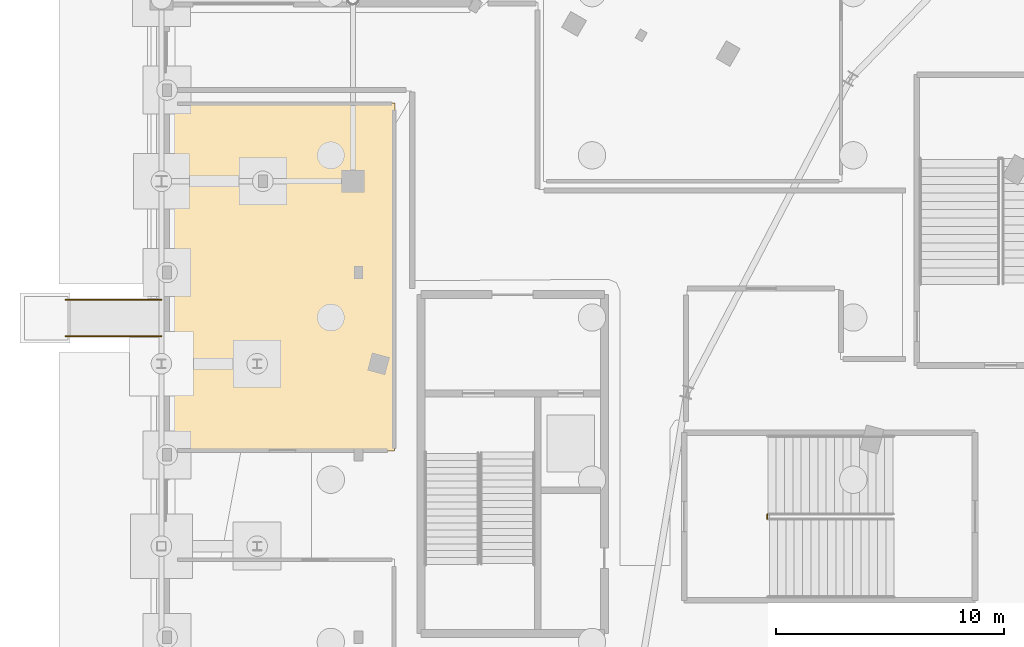
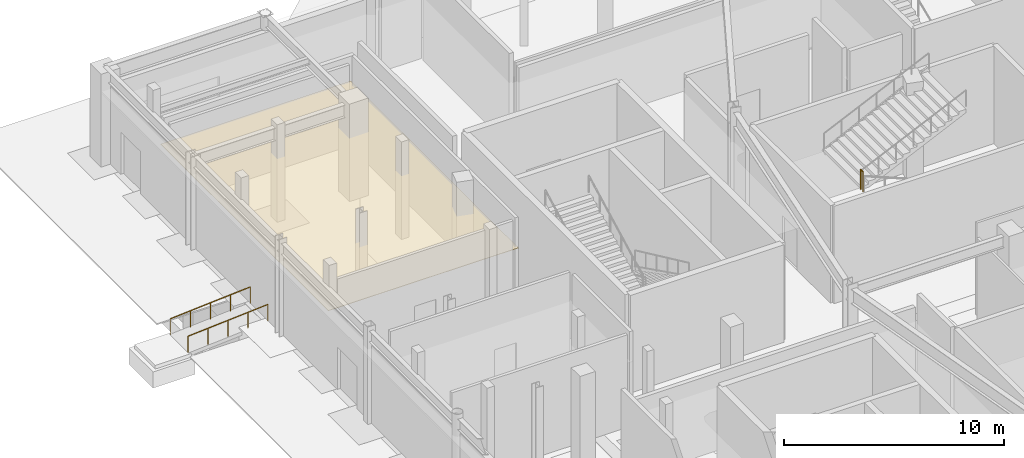
# One storey, part 76 of 93: 3 railings, 1 covering.
"""IFC4 building model written with IfcOpenShell, lengths in metres."""

import ifcopenshell
import ifcopenshell.guid

model = None  # the IFC model being written
_history = None  # IfcOwnerHistory: only IFC2X3 demands one
_inside = {}  # id of a spatial element -> (the spatial element, [elements in it])
_under = {}  # id of a project, library or spatial element -> (it, [spatial elements below it])
_declared = {}  # id of a project -> (the project, [libraries it declares])
_typed = {}  # id of a type object -> (the type object, [elements of that type])
_made_of = {}  # id of a material, layer set ... -> (it, [elements and type objects made of it])


def new_model(schema):
    """Start an empty IFC model of exactly this schema.

    Asked for "IFC4X3", IfcOpenShell would pick the latest addendum, in which some entities
    have other attributes; the version numbers below select the first issue.
    IFC2X3 requires an IfcOwnerHistory on every rooted entity: one is made here for all.
    """
    global model, _history
    if schema == "IFC4X3":
        model = ifcopenshell.file(schema_version=(4, 3, 0, 0))
    else:
        model = ifcopenshell.file(schema=schema)
    _inside.clear()
    _under.clear()
    _declared.clear()
    _typed.clear()
    _made_of.clear()
    _history = None
    if model.schema == "IFC2X3":
        org = make("IfcOrganization", Name="unknown")
        user = make(
            "IfcPersonAndOrganization",
            ThePerson=make("IfcPerson", FamilyName="unknown"),
            TheOrganization=org,
        )
        app = make(
            "IfcApplication",
            ApplicationDeveloper=org,
            Version="unknown",
            ApplicationFullName="unknown",
            ApplicationIdentifier="unknown",
        )
        _history = make(
            "IfcOwnerHistory",
            OwningUser=user,
            OwningApplication=app,
            ChangeAction="ADDED",
            CreationDate=0,
        )
    return model


def make(cls, **values):
    """One entity of the class cls with the attributes given. An attribute that is None is left unset."""
    return model.create_entity(
        cls, **{name: value for name, value in values.items() if value is not None}
    )


def rooted(cls, **values):
    """An entity with a GlobalId (a new one), such as an element, a storey or a relation."""
    return make(cls, GlobalId=ifcopenshell.guid.new(), OwnerHistory=_history, **values)


def si_unit(unit_type, name, prefix=None):
    """IfcSIUnit, for example si_unit("LENGTHUNIT", "METRE", prefix="MILLI")."""
    return make("IfcSIUnit", UnitType=unit_type, Prefix=prefix, Name=name)


def assignment(units):
    """IfcUnitAssignment: the units of a project."""
    return None if units is None else make("IfcUnitAssignment", Units=units)


def point(xyz):
    """IfcCartesianPoint."""
    return None if xyz is None else make("IfcCartesianPoint", Coordinates=xyz)


def direction(xyz):
    """IfcDirection."""
    return None if xyz is None else make("IfcDirection", DirectionRatios=xyz)


def frame(location, z_axis=None, x_axis=None):
    """IfcAxis2Placement3D, a coordinate frame: its origin and axes. An axis left out is left unset."""
    return make(
        "IfcAxis2Placement3D",
        Location=point(location),
        Axis=direction(z_axis),
        RefDirection=direction(x_axis),
    )


def frame_2d(location, x_axis=None):
    """IfcAxis2Placement2D, a coordinate frame in the plane: its origin and x axis."""
    return make(
        "IfcAxis2Placement2D", Location=point(location), RefDirection=direction(x_axis)
    )


def origin():
    """The frame at (0, 0, 0) with its axes left unset."""
    return frame((0.0, 0.0, 0.0))


def origin_2d():
    """The frame at (0, 0) in the plane with its x axis left unset."""
    return frame_2d((0.0, 0.0))


def place(relative_to, where):
    """IfcLocalPlacement: puts the frame where relative to a parent placement (None: the world)."""
    return make(
        "IfcLocalPlacement", PlacementRelTo=relative_to, RelativePlacement=where
    )


def context(
    kind, dimensions, precision=None, world=None, true_north=None, identifier=None
):
    """IfcGeometricRepresentationContext, for example the 3D "Model" context."""
    return make(
        "IfcGeometricRepresentationContext",
        ContextIdentifier=identifier,
        ContextType=kind,
        CoordinateSpaceDimension=dimensions,
        Precision=precision,
        WorldCoordinateSystem=world,
        TrueNorth=true_north,
    )


def subcontext(parent, identifier, kind, view, scale=None):
    """IfcGeometricRepresentationSubContext, for example "Body" below "Model"."""
    return make(
        "IfcGeometricRepresentationSubContext",
        ContextIdentifier=identifier,
        ContextType=kind,
        ParentContext=parent,
        TargetScale=scale,
        TargetView=view,
    )


def project(units=None, contexts=None):
    """IfcProject with its units and contexts."""
    return rooted(
        "IfcProject",
        Name="project",
        RepresentationContexts=contexts,
        UnitsInContext=assignment(units),
    )


def spatial(cls, under=None, at=None, **own):
    """A site, building, storey or space (cls), placed at a placement, below another one or the project."""
    s = rooted(cls, ObjectPlacement=at, **own)
    if under is not None:
        _under.setdefault(under.id(), (under, []))[1].append(s)
    return s


def polyline(points):
    """IfcPolyline through the points."""
    return make("IfcPolyline", Points=[point(p) for p in points])


def profile(cls, at=None, kind="AREA", **sizes):
    """A parametric profile (cls). Its sizes go by their IFC names, for example OverallWidth=200.0."""
    return make(cls, ProfileType=kind, Position=at, **sizes)


def circle(**sizes):
    """IfcCircleProfileDef."""
    return profile("IfcCircleProfileDef", **sizes)


def outline(outer, holes=None, kind="AREA"):
    """IfcArbitraryClosedProfileDef: a profile drawn as a closed curve; with holes, ...WithVoids."""
    if holes is None:
        return make("IfcArbitraryClosedProfileDef", ProfileType=kind, OuterCurve=outer)
    return make(
        "IfcArbitraryProfileDefWithVoids",
        ProfileType=kind,
        OuterCurve=outer,
        InnerCurves=holes,
    )


def extrude(swept, where, along, depth):
    """IfcExtrudedAreaSolid: the profile swept, set in the frame where, extruded along a direction by depth."""
    return make(
        "IfcExtrudedAreaSolid",
        SweptArea=swept,
        Position=where,
        ExtrudedDirection=direction(along),
        Depth=depth,
    )


def shape(context_of_items, identifier, shape_type, items):
    """IfcShapeRepresentation: the items that make up one representation, for example the "Body"."""
    return make(
        "IfcShapeRepresentation",
        ContextOfItems=context_of_items,
        RepresentationIdentifier=identifier,
        RepresentationType=shape_type,
        Items=items,
    )


def material(Name=None, Category=None):
    """IfcMaterial."""
    return make("IfcMaterial", Name=Name, Category=Category)


def layer(
    of_material, thickness, ventilated=None, Name=None, Category=None, Priority=None
):
    """IfcMaterialLayer: one layer of a wall or slab, of a material (None: an air gap)."""
    return make(
        "IfcMaterialLayer",
        Material=of_material,
        LayerThickness=thickness,
        IsVentilated=ventilated,
        Name=Name,
        Category=Category,
        Priority=Priority,
    )


def layer_set(layers, Name=None):
    """IfcMaterialLayerSet."""
    return make("IfcMaterialLayerSet", MaterialLayers=layers, LayerSetName=Name)


def made_of(thing, what):
    """Note that an element or type object is made of a material, layer set ...; save() writes the relation."""
    if what is not None:
        _made_of.setdefault(what.id(), (what, []))[1].append(thing)
    return thing


def type_object(cls, material=None, **own):
    """A type object (cls), such as IfcWallType, which elements share."""
    return made_of(rooted(cls, **own), material)


def element(
    cls,
    number,
    at=None,
    inside=None,
    cuts=None,
    type_object=None,
    material=None,
    context=None,
    identifier="Body",
    shape_type=None,
    held_by="IfcProductDefinitionShape",
    body=None,
    shapes=None,
    **own,
):
    """One element of the class cls, such as IfcWall. Its Tag is "e" and its number.

    at: its placement. inside: the storey or other place that contains it. cuts: it is an
    opening in that element (IfcRelVoidsElement). A single representation is given by context,
    identifier, shape_type and body (its items); several are given by shapes. held_by: the class
    of the entity that holds the representations. save() writes the other relations.
    """
    e = rooted(cls, Tag="e%d" % number, ObjectPlacement=at, **own)
    if body is not None:
        shapes = [shape(context, identifier, shape_type, body)]
    if shapes is not None:
        e.Representation = make(held_by, Representations=shapes)
    if inside is not None:
        _inside.setdefault(inside.id(), (inside, []))[1].append(e)
    if cuts is not None:
        rooted(
            "IfcRelVoidsElement", RelatingBuildingElement=cuts, RelatedOpeningElement=e
        )
    if type_object is not None:
        _typed.setdefault(type_object.id(), (type_object, []))[1].append(e)
    return made_of(e, material)


def aggregate(whole, parts):
    """IfcRelAggregates: a whole, such as a stair, and the parts it consists of."""
    return rooted("IfcRelAggregates", RelatingObject=whole, RelatedObjects=parts)


def save(model, path):
    """Write the relations noted so far, then the file.

    IfcRelAggregates (storeys below a building ...), IfcRelContainedInSpatialStructure (elements
    in a storey), IfcRelDefinesByType, IfcRelAssociatesMaterial and IfcRelDeclares: one each for
    every whole, place, type object, material and project.
    """
    for whole, parts in _under.values():
        aggregate(whole, parts)
    for where, things in _inside.values():
        rooted(
            "IfcRelContainedInSpatialStructure",
            RelatedElements=things,
            RelatingStructure=where,
        )
    for kind, things in _typed.values():
        rooted("IfcRelDefinesByType", RelatedObjects=things, RelatingType=kind)
    for what, things in _made_of.values():
        rooted("IfcRelAssociatesMaterial", RelatedObjects=things, RelatingMaterial=what)
    for by, libraries in _declared.values():
        rooted("IfcRelDeclares", RelatingContext=by, RelatedDefinitions=libraries)
    model.write(path)


model = new_model("IFC4")

# Units and contexts
model_context = context("Model", 3, precision=1e-05, world=origin(), true_north=direction((0.0, 1.0)))
body_context = subcontext(model_context, "Body", "Model", "MODEL_VIEW")
ifc_project = project(units=[si_unit("LENGTHUNIT", "METRE"), si_unit("AREAUNIT", "SQUARE_METRE"), si_unit("VOLUMEUNIT", "CUBIC_METRE"), si_unit("PLANEANGLEUNIT", "RADIAN"), si_unit("MASSUNIT", "GRAM", prefix="KILO")], contexts=[model_context])

# Site, building, storey
site_placement = place(None, origin())
site = spatial("IfcSite", under=ifc_project, at=site_placement, CompositionType="ELEMENT")
building_placement = place(site_placement, origin())
building = spatial("IfcBuilding", under=site, at=building_placement, Name="Kalgoora Escarpment Arena", CompositionType="ELEMENT")
storey_placement = place(building_placement, origin())
storey = spatial("IfcBuildingStorey", under=building, at=storey_placement, Name="L00", CompositionType="ELEMENT", Elevation=0.0)

# Covering
ifc_material_1 = material(Name="Perforated acoustic mineral-fibre ceiling tile")
ifc_layer = layer(ifc_material_1, 0.02490234375)
ifc_layer_set = layer_set([ifc_layer], Name="COV-CEIL-ACOUSTIC")
covering_type = type_object("IfcCoveringType", Name="COV-CEIL-ACOUSTIC", PredefinedType="CEILING", material=ifc_layer_set)
covering_placement = place(storey_placement, frame((0.0, 0.0, 3.47998046875)))
element("IfcCovering", 1, at=covering_placement, inside=storey, type_object=covering_type, Name="L00 Press Interview Auditorium acoustic suspended ceiling", PredefinedType="CEILING", context=body_context, shape_type="SweptSolid", body=[
    extrude(outline(polyline([(0.2607421875, 91.40771484375), (10.2333984375, 91.422119140625), (10.22216796875, 76.166748046875), (0.2666015625, 76.177734375), (0.2607421875, 91.40771484375)])), origin(), (0.0, 0.0, 1.0), 0.02490234375),
])

# Railings
ifc_material_2 = material(Name="Galvanised & powdercoated tubular steel", Category="steel")
railing_type_1 = type_object("IfcRailingType", Name="RAL-GUARD-1120", PredefinedType="GUARDRAIL", material=ifc_material_2)
railing_placement = place(storey_placement, frame((26.574951171875, 73.195068359375, 2.699951171875)))
element("IfcRailing", 2, at=railing_placement, inside=storey, type_object=railing_type_1, Name="ST17 L00 half-landing well guard", PredefinedType="GUARDRAIL", context=body_context, shape_type="SweptSolid", body=[
    extrude(circle(Radius=0.02392578125, at=origin_2d()), frame((0.0, 0.0, 1.09619140625), z_axis=(0.0, 1.0, 0.0), x_axis=(-1.0, 0.0, 0.0)), (0.0, 0.0, 1.0), 0.2099609375),
    extrude(circle(Radius=0.02099609375, at=origin_2d()), origin(), (0.0, 0.0, 1.0), 1.072021484375),
    extrude(circle(Radius=0.02099609375, at=origin_2d()), frame((0.0, 0.2099609375, 0.0)), (0.0, 0.0, 1.0), 1.072021484375),
])
ifc_material_3 = material(Name="Brushed stainless steel 316 handrail", Category="steel")
railing_type_2 = type_object("IfcRailingType", Name="RAL-HAND-920", PredefinedType="HANDRAIL", material=ifc_material_3)
for number, where, name in (
    (3, (-4.199951171875, 81.199951171875, -0.300048828125), "Accessible ramp RMP-03 handrail L"),
    (4, (-4.199951171875, 82.800048828125, -0.300048828125), "Accessible ramp RMP-03 handrail R"),
):
    element("IfcRailing", number, at=place(storey_placement, frame(where)), inside=storey, type_object=railing_type_2, Name=name, PredefinedType="HANDRAIL", context=body_context, shape_type="SweptSolid", body=[
        extrude(circle(Radius=0.02392578125, at=origin_2d()), frame((0.0, 0.0, 0.89599609375), z_axis=(0.997457816785, 0.0, 0.071259411546), x_axis=(0.0, 1.0, 0.0)), (0.0, 0.0, 1.0), 4.210693359375),
        extrude(circle(Radius=0.02099609375, at=origin_2d()), origin(), (0.0, 0.0, 1.0), 0.871826171875),
        extrude(circle(Radius=0.02099609375, at=origin_2d()), frame((1.050048828125, 0.0, 0.074951171875)), (0.0, 0.0, 1.0), 0.871826171875),
        extrude(circle(Radius=0.02099609375, at=origin_2d()), frame((2.10009765625, 0.0, 0.14990234375)), (0.0, 0.0, 1.0), 0.871826171875),
        extrude(circle(Radius=0.02099609375, at=origin_2d()), frame((3.14990234375, 0.0, 0.22509765625)), (0.0, 0.0, 1.0), 0.871826171875),
        extrude(circle(Radius=0.02099609375, at=origin_2d()), frame((4.199951171875, 0.0, 0.300048828125)), (0.0, 0.0, 1.0), 0.871826171875),
    ])

save(model, "model.ifc")
